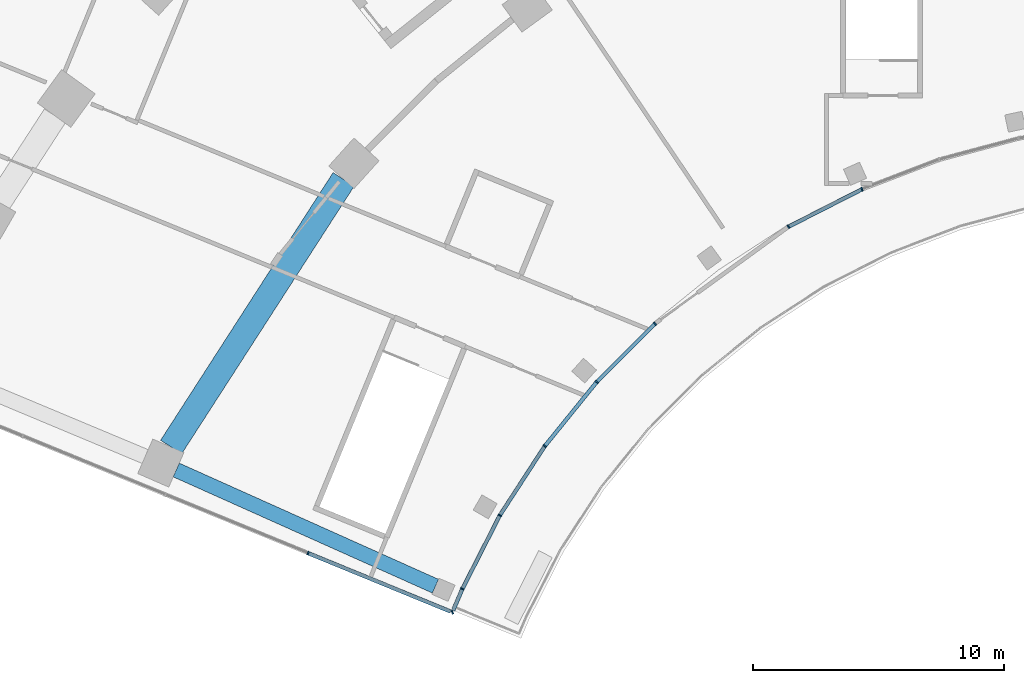
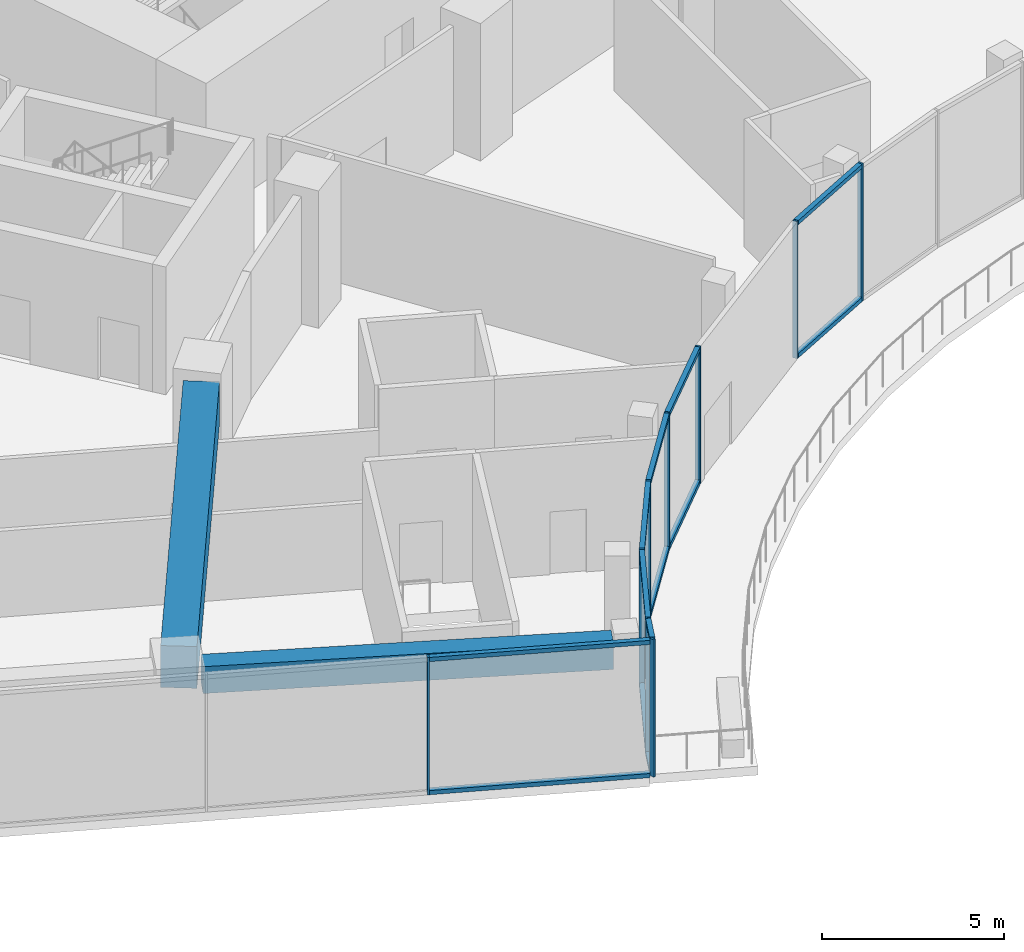
# One storey, part 5 of 33: 23 members, 2 beams, 2 elements without a shape of their own.
"""IFC4 building model written with IfcOpenShell, lengths in metres."""

import ifcopenshell
import ifcopenshell.guid

model = None  # the IFC model being written
_history = None  # IfcOwnerHistory: only IFC2X3 demands one
_inside = {}  # id of a spatial element -> (the spatial element, [elements in it])
_under = {}  # id of a project, library or spatial element -> (it, [spatial elements below it])
_declared = {}  # id of a project -> (the project, [libraries it declares])
_typed = {}  # id of a type object -> (the type object, [elements of that type])
_made_of = {}  # id of a material, layer set ... -> (it, [elements and type objects made of it])


def new_model(schema):
    """Start an empty IFC model of exactly this schema.

    Asked for "IFC4X3", IfcOpenShell would pick the latest addendum, in which some entities
    have other attributes; the version numbers below select the first issue.
    IFC2X3 requires an IfcOwnerHistory on every rooted entity: one is made here for all.
    """
    global model, _history
    if schema == "IFC4X3":
        model = ifcopenshell.file(schema_version=(4, 3, 0, 0))
    else:
        model = ifcopenshell.file(schema=schema)
    _inside.clear()
    _under.clear()
    _declared.clear()
    _typed.clear()
    _made_of.clear()
    _history = None
    if model.schema == "IFC2X3":
        org = make("IfcOrganization", Name="unknown")
        user = make(
            "IfcPersonAndOrganization",
            ThePerson=make("IfcPerson", FamilyName="unknown"),
            TheOrganization=org,
        )
        app = make(
            "IfcApplication",
            ApplicationDeveloper=org,
            Version="unknown",
            ApplicationFullName="unknown",
            ApplicationIdentifier="unknown",
        )
        _history = make(
            "IfcOwnerHistory",
            OwningUser=user,
            OwningApplication=app,
            ChangeAction="ADDED",
            CreationDate=0,
        )
    return model


def make(cls, **values):
    """One entity of the class cls with the attributes given. An attribute that is None is left unset."""
    return model.create_entity(
        cls, **{name: value for name, value in values.items() if value is not None}
    )


def rooted(cls, **values):
    """An entity with a GlobalId (a new one), such as an element, a storey or a relation."""
    return make(cls, GlobalId=ifcopenshell.guid.new(), OwnerHistory=_history, **values)


def si_unit(unit_type, name, prefix=None):
    """IfcSIUnit, for example si_unit("LENGTHUNIT", "METRE", prefix="MILLI")."""
    return make("IfcSIUnit", UnitType=unit_type, Prefix=prefix, Name=name)


def assignment(units):
    """IfcUnitAssignment: the units of a project."""
    return None if units is None else make("IfcUnitAssignment", Units=units)


def point(xyz):
    """IfcCartesianPoint."""
    return None if xyz is None else make("IfcCartesianPoint", Coordinates=xyz)


def direction(xyz):
    """IfcDirection."""
    return None if xyz is None else make("IfcDirection", DirectionRatios=xyz)


def frame(location, z_axis=None, x_axis=None):
    """IfcAxis2Placement3D, a coordinate frame: its origin and axes. An axis left out is left unset."""
    return make(
        "IfcAxis2Placement3D",
        Location=point(location),
        Axis=direction(z_axis),
        RefDirection=direction(x_axis),
    )


def frame_2d(location, x_axis=None):
    """IfcAxis2Placement2D, a coordinate frame in the plane: its origin and x axis."""
    return make(
        "IfcAxis2Placement2D", Location=point(location), RefDirection=direction(x_axis)
    )


def origin():
    """The frame at (0, 0, 0) with its axes left unset."""
    return frame((0.0, 0.0, 0.0))


def origin_2d():
    """The frame at (0, 0) in the plane with its x axis left unset."""
    return frame_2d((0.0, 0.0))


def place(relative_to, where):
    """IfcLocalPlacement: puts the frame where relative to a parent placement (None: the world)."""
    return make(
        "IfcLocalPlacement", PlacementRelTo=relative_to, RelativePlacement=where
    )


def context(
    kind, dimensions, precision=None, world=None, true_north=None, identifier=None
):
    """IfcGeometricRepresentationContext, for example the 3D "Model" context."""
    return make(
        "IfcGeometricRepresentationContext",
        ContextIdentifier=identifier,
        ContextType=kind,
        CoordinateSpaceDimension=dimensions,
        Precision=precision,
        WorldCoordinateSystem=world,
        TrueNorth=true_north,
    )


def subcontext(parent, identifier, kind, view, scale=None):
    """IfcGeometricRepresentationSubContext, for example "Body" below "Model"."""
    return make(
        "IfcGeometricRepresentationSubContext",
        ContextIdentifier=identifier,
        ContextType=kind,
        ParentContext=parent,
        TargetScale=scale,
        TargetView=view,
    )


def project(units=None, contexts=None):
    """IfcProject with its units and contexts."""
    return rooted(
        "IfcProject",
        Name="project",
        RepresentationContexts=contexts,
        UnitsInContext=assignment(units),
    )


def spatial(cls, under=None, at=None, **own):
    """A site, building, storey or space (cls), placed at a placement, below another one or the project."""
    s = rooted(cls, ObjectPlacement=at, **own)
    if under is not None:
        _under.setdefault(under.id(), (under, []))[1].append(s)
    return s


def profile(cls, at=None, kind="AREA", **sizes):
    """A parametric profile (cls). Its sizes go by their IFC names, for example OverallWidth=200.0."""
    return make(cls, ProfileType=kind, Position=at, **sizes)


def rectangle(**sizes):
    """IfcRectangleProfileDef."""
    return profile("IfcRectangleProfileDef", **sizes)


def extrude(swept, where, along, depth):
    """IfcExtrudedAreaSolid: the profile swept, set in the frame where, extruded along a direction by depth."""
    return make(
        "IfcExtrudedAreaSolid",
        SweptArea=swept,
        Position=where,
        ExtrudedDirection=direction(along),
        Depth=depth,
    )


def shape(context_of_items, identifier, shape_type, items):
    """IfcShapeRepresentation: the items that make up one representation, for example the "Body"."""
    return make(
        "IfcShapeRepresentation",
        ContextOfItems=context_of_items,
        RepresentationIdentifier=identifier,
        RepresentationType=shape_type,
        Items=items,
    )


def material(Name=None, Category=None):
    """IfcMaterial."""
    return make("IfcMaterial", Name=Name, Category=Category)


def layer(
    of_material, thickness, ventilated=None, Name=None, Category=None, Priority=None
):
    """IfcMaterialLayer: one layer of a wall or slab, of a material (None: an air gap)."""
    return make(
        "IfcMaterialLayer",
        Material=of_material,
        LayerThickness=thickness,
        IsVentilated=ventilated,
        Name=Name,
        Category=Category,
        Priority=Priority,
    )


def layer_set(layers, Name=None):
    """IfcMaterialLayerSet."""
    return make("IfcMaterialLayerSet", MaterialLayers=layers, LayerSetName=Name)


def material_profile(
    of_material, cross_section, Name=None, Category=None, Priority=None
):
    """IfcMaterialProfile: a cross section and its material."""
    return make(
        "IfcMaterialProfile",
        Name=Name,
        Material=of_material,
        Profile=cross_section,
        Priority=Priority,
        Category=Category,
    )


def profile_set(profiles, Name=None, composite=None):
    """IfcMaterialProfileSet."""
    return make(
        "IfcMaterialProfileSet",
        Name=Name,
        MaterialProfiles=profiles,
        CompositeProfile=composite,
    )


def made_of(thing, what):
    """Note that an element or type object is made of a material, layer set ...; save() writes the relation."""
    if what is not None:
        _made_of.setdefault(what.id(), (what, []))[1].append(thing)
    return thing


def type_object(cls, material=None, **own):
    """A type object (cls), such as IfcWallType, which elements share."""
    return made_of(rooted(cls, **own), material)


def element(
    cls,
    number,
    at=None,
    inside=None,
    cuts=None,
    type_object=None,
    material=None,
    context=None,
    identifier="Body",
    shape_type=None,
    held_by="IfcProductDefinitionShape",
    body=None,
    shapes=None,
    **own,
):
    """One element of the class cls, such as IfcWall. Its Tag is "e" and its number.

    at: its placement. inside: the storey or other place that contains it. cuts: it is an
    opening in that element (IfcRelVoidsElement). A single representation is given by context,
    identifier, shape_type and body (its items); several are given by shapes. held_by: the class
    of the entity that holds the representations. save() writes the other relations.
    """
    e = rooted(cls, Tag="e%d" % number, ObjectPlacement=at, **own)
    if body is not None:
        shapes = [shape(context, identifier, shape_type, body)]
    if shapes is not None:
        e.Representation = make(held_by, Representations=shapes)
    if inside is not None:
        _inside.setdefault(inside.id(), (inside, []))[1].append(e)
    if cuts is not None:
        rooted(
            "IfcRelVoidsElement", RelatingBuildingElement=cuts, RelatedOpeningElement=e
        )
    if type_object is not None:
        _typed.setdefault(type_object.id(), (type_object, []))[1].append(e)
    return made_of(e, material)


def aggregate(whole, parts):
    """IfcRelAggregates: a whole, such as a stair, and the parts it consists of."""
    return rooted("IfcRelAggregates", RelatingObject=whole, RelatedObjects=parts)


def save(model, path):
    """Write the relations noted so far, then the file.

    IfcRelAggregates (storeys below a building ...), IfcRelContainedInSpatialStructure (elements
    in a storey), IfcRelDefinesByType, IfcRelAssociatesMaterial and IfcRelDeclares: one each for
    every whole, place, type object, material and project.
    """
    for whole, parts in _under.values():
        aggregate(whole, parts)
    for where, things in _inside.values():
        rooted(
            "IfcRelContainedInSpatialStructure",
            RelatedElements=things,
            RelatingStructure=where,
        )
    for kind, things in _typed.values():
        rooted("IfcRelDefinesByType", RelatedObjects=things, RelatingType=kind)
    for what, things in _made_of.values():
        rooted("IfcRelAssociatesMaterial", RelatedObjects=things, RelatingMaterial=what)
    for by, libraries in _declared.values():
        rooted("IfcRelDeclares", RelatingContext=by, RelatedDefinitions=libraries)
    model.write(path)


model = new_model("IFC4")

# Units and contexts
model_context = context("Model", 3, precision=1e-05, world=origin(), true_north=direction((0.0, 1.0)))
body_context = subcontext(model_context, "Body", "Model", "MODEL_VIEW")
ifc_project = project(units=[si_unit("LENGTHUNIT", "METRE"), si_unit("AREAUNIT", "SQUARE_METRE"), si_unit("VOLUMEUNIT", "CUBIC_METRE"), si_unit("PLANEANGLEUNIT", "RADIAN"), si_unit("MASSUNIT", "GRAM", prefix="KILO")], contexts=[model_context])

# Site, building, storey
site_placement = place(None, origin())
site = spatial("IfcSite", under=ifc_project, at=site_placement, CompositionType="ELEMENT")
building_placement = place(site_placement, origin())
building = spatial("IfcBuilding", under=site, at=building_placement, Name="Stone Belt Terrace Tower", CompositionType="ELEMENT")
storey_placement = place(building_placement, frame((0.0, 0.0, 25.39990234375)))
storey = spatial("IfcBuildingStorey", under=building, at=storey_placement, Name="L05", CompositionType="ELEMENT", Elevation=25.39990234375)

# Curtain wall, members
ifc_material_1 = material(Name="Aluminium 6063-T6 anodised frame", Category="aluminium")
ifc_layer = layer(ifc_material_1, 0.14990234375)
ifc_layer_set = layer_set([ifc_layer], Name="CW-D podium shopfront")
curtain_wall_type = type_object("IfcCurtainWallType", Name="CW-D podium shopfront", PredefinedType="NOTDEFINED", material=ifc_layer_set)
curtain_wall_1_placement = place(storey_placement, origin())
curtain_wall_1 = element("IfcCurtainWall", 1, at=curtain_wall_1_placement, inside=storey, type_object=curtain_wall_type, Name="CW-D concave face L05", PredefinedType="NOTDEFINED")
ifc_material_profile_1 = material_profile(ifc_material_1, rectangle(XDim=0.14990234375, YDim=0.06005859375, at=origin_2d()), Name="Aluminium 6063-T6 60x150")
ifc_profile_set_1 = profile_set([ifc_material_profile_1], Name="Aluminium 6063-T6 anodised frame")
member_type_1 = type_object("IfcMemberType", Name="CW-D mullion 60 x 150", PredefinedType="MULLION", material=ifc_profile_set_1)
member_1_placement = place(storey_placement, frame((-29.10693359375, 11.8486328125, 0.0), z_axis=(0.0, 0.0, 1.0), x_axis=(-0.379212239192, 0.925309719849, 0.0)))
member_1 = element("IfcMember", 2, at=member_1_placement, type_object=member_type_1, Name="CW-D mullion 1", PredefinedType="MULLION", context=body_context, shape_type="SweptSolid", body=[
    extrude(rectangle(XDim=0.14990234375, YDim=0.06005859375, at=origin_2d()), origin(), (0.0, 0.0, 1.0), 4.60009765625),
])
member_2_placement = place(storey_placement, frame((-28.708740234375, 12.780517578125, 0.0), z_axis=(0.0, 0.0, 1.0), x_axis=(-0.905778201442, 0.423752108895, 0.0)))
member_2 = element("IfcMember", 3, at=member_2_placement, type_object=member_type_1, Name="CW-D mullion 2", PredefinedType="MULLION", context=body_context, shape_type="SweptSolid", body=[
    extrude(rectangle(XDim=0.14990234375, YDim=0.06005859375, at=origin_2d()), origin(), (0.0, 0.0, 1.0), 4.60009765625),
])
member_3_placement = place(storey_placement, frame((-27.21484375, 15.71240234375, 0.0), z_axis=(0.0, 0.0, 1.0), x_axis=(-0.866025403784, 0.5, 0.0)))
member_3 = element("IfcMember", 4, at=member_3_placement, type_object=member_type_1, Name="CW-D mullion 3", PredefinedType="MULLION", context=body_context, shape_type="SweptSolid", body=[
    extrude(rectangle(XDim=0.14990234375, YDim=0.06005859375, at=origin_2d()), origin(), (0.0, 0.0, 1.0), 4.60009765625),
])
member_4_placement = place(storey_placement, frame((-25.42333984375, 18.47119140625, 0.0), z_axis=(0.0, 0.0, 1.0), x_axis=(-0.809016994375, 0.587785252292, 0.0)))
member_4 = element("IfcMember", 5, at=member_4_placement, type_object=member_type_1, Name="CW-D mullion 4", PredefinedType="MULLION", context=body_context, shape_type="SweptSolid", body=[
    extrude(rectangle(XDim=0.14990234375, YDim=0.06005859375, at=origin_2d()), origin(), (0.0, 0.0, 1.0), 4.60009765625),
])
member_5_placement = place(storey_placement, frame((-23.353271484375, 21.02734375, 0.0), z_axis=(0.0, 0.0, 1.0), x_axis=(-0.743144825477, 0.669130606359, 0.0)))
member_5 = element("IfcMember", 6, at=member_5_placement, type_object=member_type_1, Name="CW-D mullion 5", PredefinedType="MULLION", context=body_context, shape_type="SweptSolid", body=[
    extrude(rectangle(XDim=0.14990234375, YDim=0.06005859375, at=origin_2d()), origin(), (0.0, 0.0, 1.0), 4.60009765625),
])
member_6_placement = place(storey_placement, frame((-21.02880859375, 23.351806640625, 0.0), z_axis=(0.0, 0.0, 1.0), x_axis=(-0.64944804833, 0.7604059656, 0.0)))
member_6 = element("IfcMember", 7, at=member_6_placement, type_object=member_type_1, Name="CW-D mullion 6", PredefinedType="MULLION", context=body_context, shape_type="SweptSolid", body=[
    extrude(rectangle(XDim=0.14990234375, YDim=0.06005859375, at=origin_2d()), origin(), (0.0, 0.0, 1.0), 4.60009765625),
])
member_7_placement = place(storey_placement, frame((-15.710693359375, 27.215576171875, 0.0), z_axis=(0.0, 0.0, 1.0), x_axis=(-0.522498564716, 0.852640164354, 0.0)))
member_7 = element("IfcMember", 8, at=member_7_placement, type_object=member_type_1, Name="CW-D mullion 7", PredefinedType="MULLION", context=body_context, shape_type="SweptSolid", body=[
    extrude(rectangle(XDim=0.14990234375, YDim=0.06005859375, at=origin_2d()), origin(), (0.0, 0.0, 1.0), 4.60009765625),
])
member_8_placement = place(storey_placement, frame((-12.78173828125, 28.7080078125, 0.0), z_axis=(0.0, 0.0, 1.0), x_axis=(-0.406736643076, 0.913545457643, 0.0)))
member_8 = element("IfcMember", 9, at=member_8_placement, type_object=member_type_1, Name="CW-D mullion 8", PredefinedType="MULLION", context=body_context, shape_type="SweptSolid", body=[
    extrude(rectangle(XDim=0.14990234375, YDim=0.06005859375, at=origin_2d()), origin(), (0.0, 0.0, 1.0), 4.60009765625),
])

# Curtain wall, member
curtain_wall_2_placement = place(storey_placement, origin())
curtain_wall_2 = element("IfcCurtainWall", 10, at=curtain_wall_2_placement, inside=storey, type_object=curtain_wall_type, Name="CW-D end face L05", PredefinedType="NOTDEFINED")
member_9_placement = place(storey_placement, frame((-34.859375, 14.206298828125, 0.0), z_axis=(0.0, 0.0, 1.0), x_axis=(0.379243093825, 0.925297074342, 0.0)))
member_9 = element("IfcMember", 11, at=member_9_placement, type_object=member_type_1, Name="CW-D mullion 7", PredefinedType="MULLION", context=body_context, shape_type="SweptSolid", body=[
    extrude(rectangle(XDim=0.14990234375, YDim=0.06005859375, at=origin_2d()), origin(), (0.0, 0.0, 1.0), 4.60009765625),
])

# Member
ifc_material_profile_2 = material_profile(ifc_material_1, rectangle(XDim=0.14990234375, YDim=0.139892578125, at=origin_2d()), Name="Aluminium 6063-T6 150x140")
ifc_profile_set_2 = profile_set([ifc_material_profile_2], Name="Aluminium 6063-T6 anodised frame")
member_type_2 = type_object("IfcMemberType", Name="CW-D transom 140 x 150", PredefinedType="USERDEFINED", material=ifc_profile_set_2)
member_10_placement = place(storey_placement, frame((-29.077880859375, 11.916748046875, 0.070068359375), z_axis=(0.393106748857, 0.919492840648, 0.0), x_axis=(-0.919492840648, 0.393106748857, 0.0)))
member_10 = element("IfcMember", 12, at=member_10_placement, type_object=member_type_2, Name="CW-D transom 1.1", ObjectType="TRANSOM", PredefinedType="USERDEFINED", context=body_context, shape_type="SweptSolid", body=[
    extrude(rectangle(XDim=0.14990234375, YDim=0.139892578125, at=origin_2d()), origin(), (0.0, 0.0, 1.0), 0.90673828125),
])

member_11_placement = place(storey_placement, frame((-29.077880859375, 11.916748046875, 4.530029296875), z_axis=(0.393106748857, 0.919492840648, 0.0), x_axis=(-0.919492840648, 0.393106748857, 0.0)))
member_11 = element("IfcMember", 13, at=member_11_placement, type_object=member_type_2, Name="CW-D transom 1.2", ObjectType="TRANSOM", PredefinedType="USERDEFINED", context=body_context, shape_type="SweptSolid", body=[
    extrude(rectangle(XDim=0.14990234375, YDim=0.139892578125, at=origin_2d()), origin(), (0.0, 0.0, 1.0), 0.90673828125),
])

member_12_placement = place(storey_placement, frame((-28.69384765625, 12.809326171875, 0.070068359375), z_axis=(0.453924647159, 0.891040074689, 0.0), x_axis=(-0.891040074689, 0.453924647159, 0.0)))
member_12 = element("IfcMember", 14, at=member_12_placement, type_object=member_type_2, Name="CW-D transom 2.1", ObjectType="TRANSOM", PredefinedType="USERDEFINED", context=body_context, shape_type="SweptSolid", body=[
    extrude(rectangle(XDim=0.14990234375, YDim=0.139892578125, at=origin_2d()), origin(), (0.0, 0.0, 1.0), 3.224365234375),
])

member_13_placement = place(storey_placement, frame((-28.69384765625, 12.809326171875, 4.530029296875), z_axis=(0.453924647159, 0.891040074689, 0.0), x_axis=(-0.891040074689, 0.453924647159, 0.0)))
member_13 = element("IfcMember", 15, at=member_13_placement, type_object=member_type_2, Name="CW-D transom 2.2", ObjectType="TRANSOM", PredefinedType="USERDEFINED", context=body_context, shape_type="SweptSolid", body=[
    extrude(rectangle(XDim=0.14990234375, YDim=0.139892578125, at=origin_2d()), origin(), (0.0, 0.0, 1.0), 3.224365234375),
])

member_14_placement = place(storey_placement, frame((-27.1962890625, 15.740966796875, 0.070068359375), z_axis=(0.544673980206, 0.838647873238, 0.0), x_axis=(-0.838647873238, 0.544673980206, 0.0)))
member_14 = element("IfcMember", 16, at=member_14_placement, type_object=member_type_2, Name="CW-D transom 3.1", ObjectType="TRANSOM", PredefinedType="USERDEFINED", context=body_context, shape_type="SweptSolid", body=[
    extrude(rectangle(XDim=0.14990234375, YDim=0.139892578125, at=origin_2d()), origin(), (0.0, 0.0, 1.0), 3.221435546875),
])

member_15_placement = place(storey_placement, frame((-27.1962890625, 15.740966796875, 4.530029296875), z_axis=(0.544673980206, 0.838647873238, 0.0), x_axis=(-0.838647873238, 0.544673980206, 0.0)))
member_15 = element("IfcMember", 17, at=member_15_placement, type_object=member_type_2, Name="CW-D transom 3.2", ObjectType="TRANSOM", PredefinedType="USERDEFINED", context=body_context, shape_type="SweptSolid", body=[
    extrude(rectangle(XDim=0.14990234375, YDim=0.139892578125, at=origin_2d()), origin(), (0.0, 0.0, 1.0), 3.221435546875),
])

member_16_placement = place(storey_placement, frame((-25.40185546875, 18.497314453125, 0.070068359375), z_axis=(0.629305046123, 0.777158387283, 0.0), x_axis=(-0.777158387283, 0.629305046123, 0.0)))
member_16 = element("IfcMember", 18, at=member_16_placement, type_object=member_type_2, Name="CW-D transom 4.1", ObjectType="TRANSOM", PredefinedType="USERDEFINED", context=body_context, shape_type="SweptSolid", body=[
    extrude(rectangle(XDim=0.14990234375, YDim=0.139892578125, at=origin_2d()), origin(), (0.0, 0.0, 1.0), 3.2216796875),
])

member_17_placement = place(storey_placement, frame((-25.40185546875, 18.497314453125, 4.530029296875), z_axis=(0.629305046123, 0.777158387283, 0.0), x_axis=(-0.777158387283, 0.629305046123, 0.0)))
member_17 = element("IfcMember", 19, at=member_17_placement, type_object=member_type_2, Name="CW-D transom 4.2", ObjectType="TRANSOM", PredefinedType="USERDEFINED", context=body_context, shape_type="SweptSolid", body=[
    extrude(rectangle(XDim=0.14990234375, YDim=0.139892578125, at=origin_2d()), origin(), (0.0, 0.0, 1.0), 3.2216796875),
])

member_18_placement = place(storey_placement, frame((-23.329345703125, 21.05126953125, 0.070068359375), z_axis=(0.707106781187, 0.707106781187, 0.0), x_axis=(-0.707106781187, 0.707106781187, 0.0)))
member_18 = element("IfcMember", 20, at=member_18_placement, type_object=member_type_2, Name="CW-D transom 5.1", ObjectType="TRANSOM", PredefinedType="USERDEFINED", context=body_context, shape_type="SweptSolid", body=[
    extrude(rectangle(XDim=0.14990234375, YDim=0.139892578125, at=origin_2d()), origin(), (0.0, 0.0, 1.0), 3.2177734375),
])

member_19_placement = place(storey_placement, frame((-23.329345703125, 21.05126953125, 4.530029296875), z_axis=(0.707106781187, 0.707106781187, 0.0), x_axis=(-0.707106781187, 0.707106781187, 0.0)))
member_19 = element("IfcMember", 21, at=member_19_placement, type_object=member_type_2, Name="CW-D transom 5.2", ObjectType="TRANSOM", PredefinedType="USERDEFINED", context=body_context, shape_type="SweptSolid", body=[
    extrude(rectangle(XDim=0.14990234375, YDim=0.139892578125, at=origin_2d()), origin(), (0.0, 0.0, 1.0), 3.2177734375),
])

member_20_placement = place(storey_placement, frame((-15.6787109375, 27.23193359375, 0.070068359375), z_axis=(0.891017492062, 0.453968973432, 0.0), x_axis=(-0.453968973432, 0.891017492062, 0.0)))
member_20 = element("IfcMember", 22, at=member_20_placement, type_object=member_type_2, Name="CW-D transom 7.1", ObjectType="TRANSOM", PredefinedType="USERDEFINED", context=body_context, shape_type="SweptSolid", body=[
    extrude(rectangle(XDim=0.14990234375, YDim=0.139892578125, at=origin_2d()), origin(), (0.0, 0.0, 1.0), 3.217529296875),
])

member_21_placement = place(storey_placement, frame((-15.6787109375, 27.23193359375, 4.530029296875), z_axis=(0.891017492062, 0.453968973432, 0.0), x_axis=(-0.453968973432, 0.891017492062, 0.0)))
member_21 = element("IfcMember", 23, at=member_21_placement, type_object=member_type_2, Name="CW-D transom 7.2", ObjectType="TRANSOM", PredefinedType="USERDEFINED", context=body_context, shape_type="SweptSolid", body=[
    extrude(rectangle(XDim=0.14990234375, YDim=0.139892578125, at=origin_2d()), origin(), (0.0, 0.0, 1.0), 3.217529296875),
])

aggregate(curtain_wall_1, [member_1, member_2, member_3, member_4, member_5, member_6, member_7, member_8, member_10, member_11, member_12, member_13, member_14, member_15, member_16, member_17, member_18, member_19, member_20, member_21])

member_22_placement = place(storey_placement, frame((-34.83154296875, 14.195068359375, 0.070068359375), z_axis=(0.925292272568, -0.379254809233, 0.0), x_axis=(0.379254809233, 0.925292272568, 0.0)))
member_22 = element("IfcMember", 24, at=member_22_placement, type_object=member_type_2, Name="CW-D transom 7.1", ObjectType="TRANSOM", PredefinedType="USERDEFINED", context=body_context, shape_type="SweptSolid", body=[
    extrude(rectangle(XDim=0.14990234375, YDim=0.139892578125, at=origin_2d()), origin(), (0.0, 0.0, 1.0), 6.113037109375),
])

member_23_placement = place(storey_placement, frame((-34.83154296875, 14.195068359375, 4.530029296875), z_axis=(0.925292272568, -0.379254809233, 0.0), x_axis=(0.379254809233, 0.925292272568, 0.0)))
member_23 = element("IfcMember", 25, at=member_23_placement, type_object=member_type_2, Name="CW-D transom 7.2", ObjectType="TRANSOM", PredefinedType="USERDEFINED", context=body_context, shape_type="SweptSolid", body=[
    extrude(rectangle(XDim=0.14990234375, YDim=0.139892578125, at=origin_2d()), origin(), (0.0, 0.0, 1.0), 6.113037109375),
])

aggregate(curtain_wall_2, [member_9, member_22, member_23])

# Beams
ifc_material_2 = material(Name="Concrete B60", Category="concrete")
ifc_material_profile_3 = material_profile(ifc_material_2, rectangle(XDim=0.60009765625, YDim=0.89990234375, at=origin_2d()), Name="RC 600x900")
ifc_profile_set_3 = profile_set([ifc_material_profile_3], Name="Concrete B60")
beam_type_1 = type_object("IfcBeamType", Name="Edge beam RC 600x900 B60", PredefinedType="SPANDREL", material=ifc_profile_set_3)
beam_1_placement = place(storey_placement, frame((-29.78076171875, 12.88818359375, 3.830078125), z_axis=(-0.91252459094, 0.409021846519, 0.0), x_axis=(-0.409021846519, -0.91252459094, 0.0)))
element("IfcBeam", 26, at=beam_1_placement, inside=storey, type_object=beam_type_1, Name="Edge beam L05 A O to P", PredefinedType="SPANDREL", context=body_context, shape_type="SweptSolid", body=[
    extrude(rectangle(XDim=0.60009765625, YDim=0.89990234375, at=origin_2d()), origin(), (0.0, 0.0, 1.0), 11.320556640625),
])
ifc_material_3 = material(Name="Concrete B80", Category="concrete")
ifc_material_profile_4 = material_profile(ifc_material_3, rectangle(XDim=1.0, YDim=1.39990234375, at=origin_2d()), Name="RC 1000x1400")
ifc_profile_set_4 = profile_set([ifc_material_profile_4], Name="Concrete B80")
beam_type_2 = type_object("IfcBeamType", Name="Transfer beam RC 1000x1400 B80", PredefinedType="BEAM", material=ifc_profile_set_4)
beam_2_placement = place(storey_placement, frame((-40.315673828125, 18.433349609375, 3.580078125), z_axis=(0.541723685372, 0.840556630279, 0.0), x_axis=(-0.840556630279, 0.541723685372, 0.0)))
element("IfcBeam", 27, at=beam_2_placement, inside=storey, type_object=beam_type_2, Name="Transfer beam L05 PPA-P14", PredefinedType="BEAM", context=body_context, shape_type="SweptSolid", body=[
    extrude(rectangle(XDim=1.0, YDim=1.39990234375, at=origin_2d()), origin(), (0.0, 0.0, 1.0), 12.69091796875),
])

save(model, "model.ifc")
